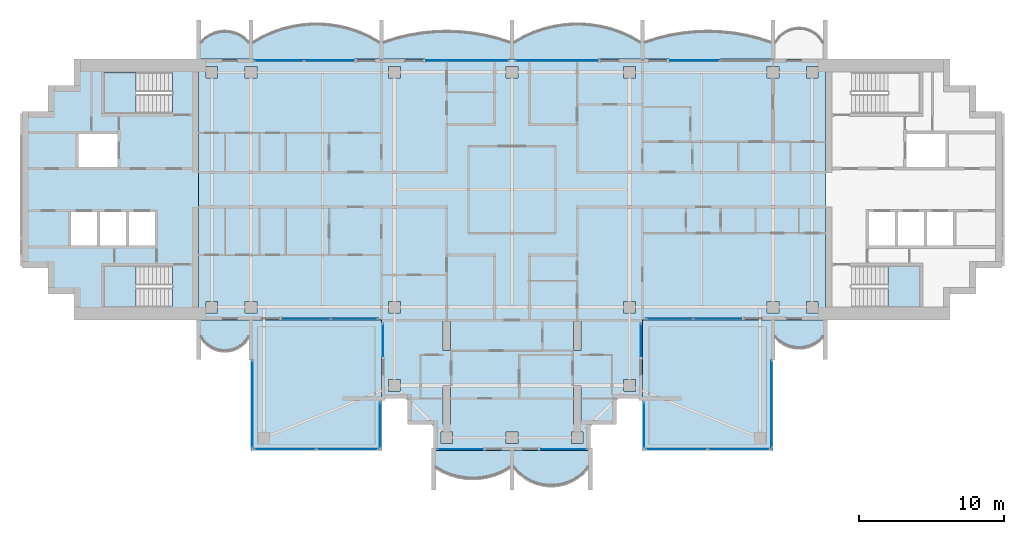
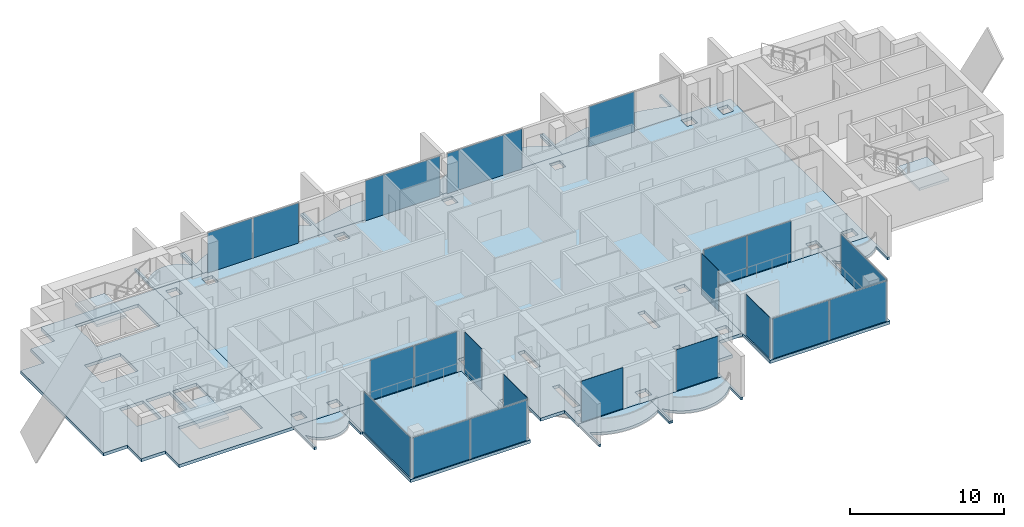
# One storey, part 5 of 17: 21 plates, 16 slabs, 19 elements without a shape of their own.
"""IFC4 building model written with IfcOpenShell, lengths in metres."""

from ifc_helpers import new_model, si_unit, direction, frame, origin, origin_2d, place, context, subcontext, project, spatial, polyline, rectangle, outline, extrude, material, layer, layer_set, type_object, element, aggregate, save


model = new_model("IFC4")

# Units and contexts
model_context = context("Model", 3, precision=1e-05, world=origin(), true_north=direction((0.0, 1.0)))
body_context = subcontext(model_context, "Body", "Model", "MODEL_VIEW")
ifc_project = project(units=[si_unit("LENGTHUNIT", "METRE"), si_unit("AREAUNIT", "SQUARE_METRE"), si_unit("VOLUMEUNIT", "CUBIC_METRE"), si_unit("PLANEANGLEUNIT", "RADIAN"), si_unit("MASSUNIT", "GRAM", prefix="KILO")], contexts=[model_context])

# Site, building, storey
site_placement = place(None, origin())
site = spatial("IfcSite", under=ifc_project, at=site_placement, CompositionType="ELEMENT")
building_placement = place(site_placement, origin())
building = spatial("IfcBuilding", under=site, at=building_placement, Name="Perihelion Cross Residences", CompositionType="ELEMENT")
storey_placement = place(building_placement, frame((0.0, 0.0, 278.0)))
storey = spatial("IfcBuildingStorey", under=building, at=storey_placement, Name="L71", CompositionType="ELEMENT", Elevation=278.0)

# Slabs
ifc_material_1 = material(Name="Concrete C40/50", Category="concrete")
ifc_layer_1 = layer(ifc_material_1, 0.199951171875)
ifc_layer_set_1 = layer_set([ifc_layer_1], Name="Balcony slab 200")
slab_type_1 = type_object("IfcSlabType", Name="Balcony slab 200", PredefinedType="FLOOR", material=ifc_layer_set_1)
slab_1_placement = place(storey_placement, frame((0.0, 0.0, -0.199951171875)))
element("IfcSlab", 1, at=slab_1_placement, inside=storey, type_object=slab_type_1, Name="Slab BK1 L71 east side north bay 2 balcony", PredefinedType="FLOOR", context=body_context, shape_type="SweptSolid", body=[
    extrude(outline(polyline([(18.0, 9.0), (9.0, 9.0), (9.0, 11.699951171875), (9.14990234375, 11.699951171875), (9.14990234375, 10.199951171875), (10.02001953125, 10.47509765625), (10.889892578125, 10.68505859375), (11.760009765625, 10.8330078125), (12.6298828125, 10.9208984375), (13.5, 10.949951171875), (14.3701171875, 10.9208984375), (15.239990234375, 10.8330078125), (16.110107421875, 10.68505859375), (16.97998046875, 10.47509765625), (17.85009765625, 10.199951171875), (17.85009765625, 11.699951171875), (18.0, 11.699951171875), (18.0, 9.0)])), origin(), (0.0, 0.0, 1.0), 0.199951171875),
])
slab_2_placement = place(storey_placement, frame((0.0, 0.0, -0.199951171875)))
element("IfcSlab", 2, at=slab_2_placement, inside=storey, type_object=slab_type_1, Name="Slab BK1 L71 north side east bay 1 balcony", PredefinedType="FLOOR", context=body_context, shape_type="SweptSolid", body=[
    extrude(outline(polyline([(9.0, 9.0), (0.0, 9.0), (0.0, 11.699951171875), (0.14990234375, 11.699951171875), (0.14990234375, 10.199951171875), (0.8193359375, 10.57666015625), (1.488525390625, 10.87646484375), (2.15771484375, 11.108154296875), (2.826904296875, 11.27734375), (3.49609375, 11.38818359375), (4.165283203125, 11.443115234375), (4.834716796875, 11.443115234375), (5.50390625, 11.38818359375), (6.173095703125, 11.27734375), (6.84228515625, 11.108154296875), (7.511474609375, 10.87646484375), (8.1806640625, 10.57666015625), (8.85009765625, 10.199951171875), (8.85009765625, 11.699951171875), (9.0, 11.699951171875), (9.0, 9.0)])), origin(), (0.0, 0.0, 1.0), 0.199951171875),
])
slab_3_placement = place(storey_placement, frame((0.0, 0.0, -0.199951171875)))
element("IfcSlab", 3, at=slab_3_placement, inside=storey, type_object=slab_type_1, Name="Slab BK1 L71 north side east bay 2 balcony", PredefinedType="FLOOR", context=body_context, shape_type="SweptSolid", body=[
    extrude(outline(polyline([(0.0, 9.0), (-9.0, 9.0), (-9.0, 11.699951171875), (-8.85009765625, 11.699951171875), (-8.85009765625, 10.199951171875), (-7.97998046875, 10.47509765625), (-7.110107421875, 10.68505859375), (-6.239990234375, 10.8330078125), (-5.3701171875, 10.9208984375), (-4.5, 10.949951171875), (-3.6298828125, 10.9208984375), (-2.760009765625, 10.8330078125), (-1.889892578125, 10.68505859375), (-1.02001953125, 10.47509765625), (-0.14990234375, 10.199951171875), (-0.14990234375, 11.699951171875), (0.0, 11.699951171875), (0.0, 9.0)])), origin(), (0.0, 0.0, 1.0), 0.199951171875),
])
slab_4_placement = place(storey_placement, frame((0.0, 0.0, -0.199951171875)))
element("IfcSlab", 4, at=slab_4_placement, inside=storey, type_object=slab_type_1, Name="Slab BK1 L71 west side north bay 1 balcony", PredefinedType="FLOOR", context=body_context, shape_type="SweptSolid", body=[
    extrude(outline(polyline([(-9.0, 9.0), (-18.0, 9.0), (-18.0, 11.699951171875), (-17.85009765625, 11.699951171875), (-17.85009765625, 10.199951171875), (-17.1806640625, 10.57666015625), (-16.511474609375, 10.87646484375), (-15.84228515625, 11.108154296875), (-15.173095703125, 11.27734375), (-14.50390625, 11.38818359375), (-13.834716796875, 11.443115234375), (-13.165283203125, 11.443115234375), (-12.49609375, 11.38818359375), (-11.826904296875, 11.27734375), (-11.15771484375, 11.108154296875), (-10.488525390625, 10.87646484375), (-9.8193359375, 10.57666015625), (-9.14990234375, 10.199951171875), (-9.14990234375, 11.699951171875), (-9.0, 11.699951171875), (-9.0, 9.0)])), origin(), (0.0, 0.0, 1.0), 0.199951171875),
])
slab_5_placement = place(storey_placement, frame((0.0, 0.0, -0.199951171875)))
element("IfcSlab", 5, at=slab_5_placement, inside=storey, type_object=slab_type_1, Name="Slab BK1 L71 west side north bay 2 balcony", PredefinedType="FLOOR", context=body_context, shape_type="SweptSolid", body=[
    extrude(outline(polyline([(-18.0, 9.0), (-21.60009765625, 9.0), (-21.60009765625, 11.699951171875), (-21.449951171875, 11.699951171875), (-21.449951171875, 10.199951171875), (-21.1201171875, 10.507568359375), (-20.7900390625, 10.71337890625), (-20.4599609375, 10.84814453125), (-20.1298828125, 10.925048828125), (-19.800048828125, 10.949951171875), (-19.469970703125, 10.925048828125), (-19.139892578125, 10.84814453125), (-18.81005859375, 10.71337890625), (-18.47998046875, 10.507568359375), (-18.14990234375, 10.199951171875), (-18.14990234375, 11.699951171875), (-18.0, 11.699951171875), (-18.0, 9.0)])), origin(), (0.0, 0.0, 1.0), 0.199951171875),
])
slab_6_placement = place(storey_placement, frame((0.0, 0.0, -0.199951171875)))
element("IfcSlab", 6, at=slab_6_placement, inside=storey, type_object=slab_type_1, Name="Slab BK1 L71 west side south bay 1 balcony", PredefinedType="FLOOR", context=body_context, shape_type="SweptSolid", body=[
    extrude(outline(polyline([(-21.60009765625, -9.0), (-18.0, -9.0), (-18.0, -11.699951171875), (-18.14990234375, -11.699951171875), (-18.14990234375, -10.199951171875), (-18.425048828125, -10.568603515625), (-18.699951171875, -10.806396484375), (-18.97509765625, -10.96875), (-19.25, -11.07568359375), (-19.52490234375, -11.136962890625), (-19.800048828125, -11.156982421875), (-20.074951171875, -11.136962890625), (-20.35009765625, -11.07568359375), (-20.625, -10.96875), (-20.89990234375, -10.806396484375), (-21.175048828125, -10.568603515625), (-21.449951171875, -10.199951171875), (-21.449951171875, -11.699951171875), (-21.60009765625, -11.699951171875), (-21.60009765625, -9.0)])), origin(), (0.0, 0.0, 1.0), 0.199951171875),
])
slab_7_placement = place(storey_placement, frame((0.0, 0.0, -0.199951171875)))
element("IfcSlab", 7, at=slab_7_placement, inside=storey, type_object=slab_type_1, Name="Slab BK1 L71 south tip south bay 1 balcony", PredefinedType="FLOOR", context=body_context, shape_type="SweptSolid", body=[
    extrude(outline(polyline([(-5.39990234375, -18.0), (0.0, -18.0), (0.0, -20.699951171875), (-0.14990234375, -20.699951171875), (-0.14990234375, -19.199951171875), (-0.659912109375, -19.4853515625), (-1.169921875, -19.694580078125), (-1.679931640625, -19.838134765625), (-2.18994140625, -19.92236328125), (-2.699951171875, -19.949951171875), (-3.2099609375, -19.92236328125), (-3.719970703125, -19.838134765625), (-4.22998046875, -19.694580078125), (-4.739990234375, -19.4853515625), (-5.25, -19.199951171875), (-5.25, -20.699951171875), (-5.39990234375, -20.699951171875), (-5.39990234375, -18.0)])), origin(), (0.0, 0.0, 1.0), 0.199951171875),
])
slab_8_placement = place(storey_placement, frame((0.0, 0.0, -0.199951171875)))
element("IfcSlab", 8, at=slab_8_placement, inside=storey, type_object=slab_type_1, Name="Slab BK1 L71 south tip south bay 2 balcony", PredefinedType="FLOOR", context=body_context, shape_type="SweptSolid", body=[
    extrude(outline(polyline([(0.0, -18.0), (5.39990234375, -18.0), (5.39990234375, -20.699951171875), (5.25, -20.699951171875), (5.25, -19.199951171875), (4.857666015625, -19.622314453125), (4.46533203125, -19.924072265625), (4.072998046875, -20.143310546875), (3.6806640625, -20.29736328125), (3.28857421875, -20.39599609375), (2.896240234375, -20.444091796875), (2.50390625, -20.444091796875), (2.111572265625, -20.39599609375), (1.71923828125, -20.29736328125), (1.326904296875, -20.143310546875), (0.9345703125, -19.924072265625), (0.542236328125, -19.622314453125), (0.14990234375, -19.199951171875), (0.14990234375, -20.699951171875), (0.0, -20.699951171875), (0.0, -18.0)])), origin(), (0.0, 0.0, 1.0), 0.199951171875),
])
slab_9_placement = place(storey_placement, frame((0.0, 0.0, -0.199951171875)))
element("IfcSlab", 9, at=slab_9_placement, inside=storey, type_object=slab_type_1, Name="Slab BK1 L71 east side south bay 2 balcony", PredefinedType="FLOOR", context=body_context, shape_type="SweptSolid", body=[
    extrude(outline(polyline([(18.0, -9.0), (21.60009765625, -9.0), (21.60009765625, -11.699951171875), (21.449951171875, -11.699951171875), (21.449951171875, -10.199951171875), (21.1201171875, -10.507568359375), (20.7900390625, -10.71337890625), (20.4599609375, -10.84814453125), (20.1298828125, -10.925048828125), (19.800048828125, -10.949951171875), (19.469970703125, -10.925048828125), (19.139892578125, -10.84814453125), (18.81005859375, -10.71337890625), (18.47998046875, -10.507568359375), (18.14990234375, -10.199951171875), (18.14990234375, -11.699951171875), (18.0, -11.699951171875), (18.0, -9.0)])), origin(), (0.0, 0.0, 1.0), 0.199951171875),
])

# Curtain wall, plate
ifc_material_2 = material(Name="Bronze anodised aluminium, tinted glazing", Category="aluminium")
curtain_wall_type_1 = type_object("IfcCurtainWallType", Name="CW1", PredefinedType="NOTDEFINED", material=ifc_material_2)
curtain_wall_1_placement = place(storey_placement, origin())
curtain_wall_1 = element("IfcCurtainWall", 10, at=curtain_wall_1_placement, inside=storey, type_object=curtain_wall_type_1, Name="Curtain wall CW1 L71 east side north bay 2", PredefinedType="NOTDEFINED")
ifc_material_3 = material(Name="Tinted laminated glass", Category="glass")
ifc_layer_2 = layer(ifc_material_3, 0.028076171875)
ifc_layer_set_2 = layer_set([ifc_layer_2], Name="CW1 panel")
plate_type_1 = type_object("IfcPlateType", Name="CW1 panel", PredefinedType="CURTAIN_PANEL", material=ifc_layer_set_2)
plate_1_placement = place(storey_placement, frame((12.610107421875, 8.89990234375, 0.0), z_axis=(0.0, 0.0, 1.0), x_axis=(-1.0, 0.0, 0.0)))
plate_1 = element("IfcPlate", 11, at=plate_1_placement, type_object=plate_type_1, Name="CW1 panel 2", PredefinedType="CURTAIN_PANEL", context=body_context, shape_type="SweptSolid", body=[
    extrude(rectangle(XDim=3.419921875, YDim=0.028076171875, at=origin_2d()), origin(), (0.0, 0.0, 1.0), 3.18994140625),
])
aggregate(curtain_wall_1, [plate_1])

curtain_wall_2_placement = place(storey_placement, origin())
curtain_wall_2 = element("IfcCurtainWall", 12, at=curtain_wall_2_placement, inside=storey, type_object=curtain_wall_type_1, Name="Curtain wall CW1 L71 north side east bay 1", PredefinedType="NOTDEFINED")
plate_2_placement = place(storey_placement, frame((3.080078125, 8.89990234375, 0.0), z_axis=(0.0, 0.0, 1.0), x_axis=(-1.0, 0.0, 0.0)))
plate_2 = element("IfcPlate", 13, at=plate_2_placement, type_object=plate_type_1, Name="CW1 panel 1", PredefinedType="CURTAIN_PANEL", context=body_context, shape_type="SweptSolid", body=[
    extrude(rectangle(XDim=5.639892578125, YDim=0.028076171875, at=origin_2d()), origin(), (0.0, 0.0, 1.0), 3.18994140625),
])
aggregate(curtain_wall_2, [plate_2])

curtain_wall_3_placement = place(storey_placement, origin())
curtain_wall_3 = element("IfcCurtainWall", 14, at=curtain_wall_3_placement, inside=storey, type_object=curtain_wall_type_1, Name="Curtain wall CW1 L71 north side east bay 2", PredefinedType="NOTDEFINED")
plate_3_placement = place(storey_placement, frame((-3.080078125, 8.89990234375, 0.0), z_axis=(0.0, 0.0, 1.0), x_axis=(-1.0, 0.0, 0.0)))
plate_3 = element("IfcPlate", 15, at=plate_3_placement, type_object=plate_type_1, Name="CW1 panel 1", PredefinedType="CURTAIN_PANEL", context=body_context, shape_type="SweptSolid", body=[
    extrude(rectangle(XDim=5.639892578125, YDim=0.028076171875, at=origin_2d()), origin(), (0.0, 0.0, 1.0), 3.18994140625),
])
aggregate(curtain_wall_3, [plate_3])

# Curtain wall, plates
curtain_wall_4_placement = place(storey_placement, origin())
curtain_wall_4 = element("IfcCurtainWall", 16, at=curtain_wall_4_placement, inside=storey, type_object=curtain_wall_type_1, Name="Curtain wall CW1 L71 west side north bay 1", PredefinedType="NOTDEFINED")
plate_4_placement = place(storey_placement, frame((-12.610107421875, 8.89990234375, 0.0), z_axis=(0.0, 0.0, 1.0), x_axis=(-1.0, 0.0, 0.0)))
plate_4 = element("IfcPlate", 17, at=plate_4_placement, type_object=plate_type_1, Name="CW1 panel 1", PredefinedType="CURTAIN_PANEL", context=body_context, shape_type="SweptSolid", body=[
    extrude(rectangle(XDim=3.419921875, YDim=0.028076171875, at=origin_2d()), origin(), (0.0, 0.0, 1.0), 3.18994140625),
])
plate_5_placement = place(storey_placement, frame((-16.06005859375, 8.89990234375, 0.0), z_axis=(0.0, 0.0, 1.0), x_axis=(-1.0, 0.0, 0.0)))
plate_5 = element("IfcPlate", 18, at=plate_5_placement, type_object=plate_type_1, Name="CW1 panel 2", PredefinedType="CURTAIN_PANEL", context=body_context, shape_type="SweptSolid", body=[
    extrude(rectangle(XDim=3.360107421875, YDim=0.028076171875, at=origin_2d()), origin(), (0.0, 0.0, 1.0), 3.18994140625),
])
aggregate(curtain_wall_4, [plate_4, plate_5])

curtain_wall_5_placement = place(storey_placement, origin())
curtain_wall_5 = element("IfcCurtainWall", 19, at=curtain_wall_5_placement, inside=storey, type_object=curtain_wall_type_1, Name="Curtain wall CW1 L71 west side south bay 2", PredefinedType="NOTDEFINED")
plate_6_placement = place(storey_placement, frame((-14.1650390625, -8.89990234375, 0.0), z_axis=(0.0, 0.0, 1.0), x_axis=(1.0, 0.0, 0.0)))
plate_6 = element("IfcPlate", 20, at=plate_6_placement, type_object=plate_type_1, Name="CW1 panel 1", PredefinedType="CURTAIN_PANEL", context=body_context, shape_type="SweptSolid", body=[
    extrude(rectangle(XDim=3.27001953125, YDim=0.028076171875, at=origin_2d()), origin(), (0.0, 0.0, 1.0), 3.18994140625),
])
plate_7_placement = place(storey_placement, frame((-10.864990234375, -8.89990234375, 0.0), z_axis=(0.0, 0.0, 1.0), x_axis=(1.0, 0.0, 0.0)))
plate_7 = element("IfcPlate", 21, at=plate_7_placement, type_object=plate_type_1, Name="CW1 panel 2", PredefinedType="CURTAIN_PANEL", context=body_context, shape_type="SweptSolid", body=[
    extrude(rectangle(XDim=3.2099609375, YDim=0.028076171875, at=origin_2d()), origin(), (0.0, 0.0, 1.0), 3.18994140625),
])
aggregate(curtain_wall_5, [plate_6, plate_7])

# Curtain wall, plate
curtain_wall_6_placement = place(storey_placement, origin())
curtain_wall_6 = element("IfcCurtainWall", 22, at=curtain_wall_6_placement, inside=storey, type_object=curtain_wall_type_1, Name="Curtain wall CW1 L71 south side west bay 1", PredefinedType="NOTDEFINED")
plate_8_placement = place(storey_placement, frame((-8.89990234375, -10.3798828125, 0.0), z_axis=(0.0, 0.0, 1.0), x_axis=(0.0, -1.0, 0.0)))
plate_8 = element("IfcPlate", 23, at=plate_8_placement, type_object=plate_type_1, Name="CW1 panel 1", PredefinedType="CURTAIN_PANEL", context=body_context, shape_type="SweptSolid", body=[
    extrude(rectangle(XDim=2.239990234375, YDim=0.028076171875, at=origin_2d()), origin(), (0.0, 0.0, 1.0), 3.25),
])
aggregate(curtain_wall_6, [plate_8])

curtain_wall_7_placement = place(storey_placement, origin())
curtain_wall_7 = element("IfcCurtainWall", 24, at=curtain_wall_7_placement, inside=storey, type_object=curtain_wall_type_1, Name="Curtain wall CW1 L71 south tip south bay 1", PredefinedType="NOTDEFINED")
plate_9_placement = place(storey_placement, frame((-3.570068359375, -17.89990234375, 0.0), z_axis=(0.0, 0.0, 1.0), x_axis=(1.0, 0.0, 0.0)))
plate_9 = element("IfcPlate", 25, at=plate_9_placement, type_object=plate_type_1, Name="CW1 panel 1", PredefinedType="CURTAIN_PANEL", context=body_context, shape_type="SweptSolid", body=[
    extrude(rectangle(XDim=3.139892578125, YDim=0.028076171875, at=origin_2d()), origin(), (0.0, 0.0, 1.0), 3.25),
])
aggregate(curtain_wall_7, [plate_9])

curtain_wall_8_placement = place(storey_placement, origin())
curtain_wall_8 = element("IfcCurtainWall", 26, at=curtain_wall_8_placement, inside=storey, type_object=curtain_wall_type_1, Name="Curtain wall CW1 L71 south tip south bay 2", PredefinedType="NOTDEFINED")
plate_10_placement = place(storey_placement, frame((3.570068359375, -17.89990234375, 0.0), z_axis=(0.0, 0.0, 1.0), x_axis=(1.0, 0.0, 0.0)))
plate_10 = element("IfcPlate", 27, at=plate_10_placement, type_object=plate_type_1, Name="CW1 panel 1", PredefinedType="CURTAIN_PANEL", context=body_context, shape_type="SweptSolid", body=[
    extrude(rectangle(XDim=3.139892578125, YDim=0.028076171875, at=origin_2d()), origin(), (0.0, 0.0, 1.0), 3.25),
])
aggregate(curtain_wall_8, [plate_10])

curtain_wall_9_placement = place(storey_placement, origin())
curtain_wall_9 = element("IfcCurtainWall", 28, at=curtain_wall_9_placement, inside=storey, type_object=curtain_wall_type_1, Name="Curtain wall CW1 L71 south side east bay 1", PredefinedType="NOTDEFINED")
plate_11_placement = place(storey_placement, frame((8.89990234375, -10.3798828125, 0.0), z_axis=(0.0, 0.0, 1.0), x_axis=(0.0, 1.0, 0.0)))
plate_11 = element("IfcPlate", 29, at=plate_11_placement, type_object=plate_type_1, Name="CW1 panel 1", PredefinedType="CURTAIN_PANEL", context=body_context, shape_type="SweptSolid", body=[
    extrude(rectangle(XDim=2.239990234375, YDim=0.028076171875, at=origin_2d()), origin(), (0.0, 0.0, 1.0), 3.25),
])
aggregate(curtain_wall_9, [plate_11])

# Curtain wall, plates
curtain_wall_10_placement = place(storey_placement, origin())
curtain_wall_10 = element("IfcCurtainWall", 30, at=curtain_wall_10_placement, inside=storey, type_object=curtain_wall_type_1, Name="Curtain wall CW1 L71 east side south bay 1", PredefinedType="NOTDEFINED")
plate_12_placement = place(storey_placement, frame((10.864990234375, -8.89990234375, 0.0), z_axis=(0.0, 0.0, 1.0), x_axis=(1.0, 0.0, 0.0)))
plate_12 = element("IfcPlate", 31, at=plate_12_placement, type_object=plate_type_1, Name="CW1 panel 1", PredefinedType="CURTAIN_PANEL", context=body_context, shape_type="SweptSolid", body=[
    extrude(rectangle(XDim=3.2099609375, YDim=0.028076171875, at=origin_2d()), origin(), (0.0, 0.0, 1.0), 3.18994140625),
])
plate_13_placement = place(storey_placement, frame((14.1650390625, -8.89990234375, 0.0), z_axis=(0.0, 0.0, 1.0), x_axis=(1.0, 0.0, 0.0)))
plate_13 = element("IfcPlate", 32, at=plate_13_placement, type_object=plate_type_1, Name="CW1 panel 2", PredefinedType="CURTAIN_PANEL", context=body_context, shape_type="SweptSolid", body=[
    extrude(rectangle(XDim=3.27001953125, YDim=0.028076171875, at=origin_2d()), origin(), (0.0, 0.0, 1.0), 3.18994140625),
])
aggregate(curtain_wall_10, [plate_12, plate_13])

# Curtain wall, plate
ifc_material_4 = material(Name="Bronze anodised aluminium, tinted glazing", Category="aluminium")
curtain_wall_type_2 = type_object("IfcCurtainWallType", Name="CW4", PredefinedType="NOTDEFINED", material=ifc_material_4)
curtain_wall_11_placement = place(storey_placement, origin())
curtain_wall_11 = element("IfcCurtainWall", 33, at=curtain_wall_11_placement, inside=storey, type_object=curtain_wall_type_2, Name="Curtain wall CW4 L71 pocket south-east 1 1", PredefinedType="NOTDEFINED")
ifc_material_5 = material(Name="Tinted laminated glass", Category="glass")
ifc_layer_3 = layer(ifc_material_5, 0.030029296875)
ifc_layer_set_3 = layer_set([ifc_layer_3], Name="CW4 panel")
plate_type_2 = type_object("IfcPlateType", Name="CW4 panel", PredefinedType="CURTAIN_PANEL", material=ifc_layer_set_3)
plate_14_placement = place(storey_placement, frame((17.89990234375, -14.784912109375, 0.0), z_axis=(0.0, 0.0, 1.0), x_axis=(0.0, -1.0, 0.0)))
plate_14 = element("IfcPlate", 34, at=plate_14_placement, type_object=plate_type_2, Name="CW4 panel 1", PredefinedType="CURTAIN_PANEL", context=body_context, shape_type="SweptSolid", body=[
    extrude(rectangle(XDim=5.969970703125, YDim=0.030029296875, at=origin_2d()), origin(), (0.0, 0.0, 1.0), 3.18994140625),
])
aggregate(curtain_wall_11, [plate_14])

# Curtain wall, plates
curtain_wall_12_placement = place(storey_placement, origin())
curtain_wall_12 = element("IfcCurtainWall", 35, at=curtain_wall_12_placement, inside=storey, type_object=curtain_wall_type_2, Name="Curtain wall CW4 L71 pocket south-east 1 2", PredefinedType="NOTDEFINED")
plate_15_placement = place(storey_placement, frame((15.64990234375, -17.89990234375, 0.0), z_axis=(0.0, 0.0, 1.0), x_axis=(-1.0, 0.0, 0.0)))
plate_15 = element("IfcPlate", 36, at=plate_15_placement, type_object=plate_type_2, Name="CW4 panel 1", PredefinedType="CURTAIN_PANEL", context=body_context, shape_type="SweptSolid", body=[
    extrude(rectangle(XDim=4.239990234375, YDim=0.030029296875, at=origin_2d()), origin(), (0.0, 0.0, 1.0), 3.18994140625),
])
plate_16_placement = place(storey_placement, frame((11.35009765625, -17.89990234375, 0.0), z_axis=(0.0, 0.0, 1.0), x_axis=(-1.0, 0.0, 0.0)))
plate_16 = element("IfcPlate", 37, at=plate_16_placement, type_object=plate_type_2, Name="CW4 panel 2", PredefinedType="CURTAIN_PANEL", context=body_context, shape_type="SweptSolid", body=[
    extrude(rectangle(XDim=4.239990234375, YDim=0.030029296875, at=origin_2d()), origin(), (0.0, 0.0, 1.0), 3.18994140625),
])
aggregate(curtain_wall_12, [plate_15, plate_16])

# Curtain wall, plate
curtain_wall_13_placement = place(storey_placement, origin())
curtain_wall_13 = element("IfcCurtainWall", 38, at=curtain_wall_13_placement, inside=storey, type_object=curtain_wall_type_2, Name="Curtain wall CW4 L71 pocket south-east 1 3", PredefinedType="NOTDEFINED")
plate_17_placement = place(storey_placement, frame((9.10009765625, -16.2294921875, 0.0), z_axis=(0.0, 0.0, 1.0), x_axis=(0.0, 1.0, 0.0)))
plate_17 = element("IfcPlate", 39, at=plate_17_placement, type_object=plate_type_2, Name="CW4 panel 1", PredefinedType="CURTAIN_PANEL", context=body_context, shape_type="SweptSolid", body=[
    extrude(rectangle(XDim=3.0810546875, YDim=0.030029296875, at=origin_2d()), origin(), (0.0, 0.0, 1.0), 3.25),
])
aggregate(curtain_wall_13, [plate_17])

curtain_wall_14_placement = place(storey_placement, origin())
curtain_wall_14 = element("IfcCurtainWall", 40, at=curtain_wall_14_placement, inside=storey, type_object=curtain_wall_type_2, Name="Curtain wall CW4 L71 pocket south-west 1 1", PredefinedType="NOTDEFINED")
plate_18_placement = place(storey_placement, frame((-9.10009765625, -16.2294921875, 0.0), z_axis=(0.0, 0.0, 1.0), x_axis=(0.0, -1.0, 0.0)))
plate_18 = element("IfcPlate", 41, at=plate_18_placement, type_object=plate_type_2, Name="CW4 panel 1", PredefinedType="CURTAIN_PANEL", context=body_context, shape_type="SweptSolid", body=[
    extrude(rectangle(XDim=3.0810546875, YDim=0.030029296875, at=origin_2d()), origin(), (0.0, 0.0, 1.0), 3.25),
])
aggregate(curtain_wall_14, [plate_18])

# Curtain wall, plates
curtain_wall_15_placement = place(storey_placement, origin())
curtain_wall_15 = element("IfcCurtainWall", 42, at=curtain_wall_15_placement, inside=storey, type_object=curtain_wall_type_2, Name="Curtain wall CW4 L71 pocket south-west 1 2", PredefinedType="NOTDEFINED")
plate_19_placement = place(storey_placement, frame((-11.35009765625, -17.89990234375, 0.0), z_axis=(0.0, 0.0, 1.0), x_axis=(-1.0, 0.0, 0.0)))
plate_19 = element("IfcPlate", 43, at=plate_19_placement, type_object=plate_type_2, Name="CW4 panel 1", PredefinedType="CURTAIN_PANEL", context=body_context, shape_type="SweptSolid", body=[
    extrude(rectangle(XDim=4.239990234375, YDim=0.030029296875, at=origin_2d()), origin(), (0.0, 0.0, 1.0), 3.18994140625),
])
plate_20_placement = place(storey_placement, frame((-15.64990234375, -17.89990234375, 0.0), z_axis=(0.0, 0.0, 1.0), x_axis=(-1.0, 0.0, 0.0)))
plate_20 = element("IfcPlate", 44, at=plate_20_placement, type_object=plate_type_2, Name="CW4 panel 2", PredefinedType="CURTAIN_PANEL", context=body_context, shape_type="SweptSolid", body=[
    extrude(rectangle(XDim=4.239990234375, YDim=0.030029296875, at=origin_2d()), origin(), (0.0, 0.0, 1.0), 3.18994140625),
])
aggregate(curtain_wall_15, [plate_19, plate_20])

# Curtain wall, plate
curtain_wall_16_placement = place(storey_placement, origin())
curtain_wall_16 = element("IfcCurtainWall", 45, at=curtain_wall_16_placement, inside=storey, type_object=curtain_wall_type_2, Name="Curtain wall CW4 L71 pocket south-west 1 3", PredefinedType="NOTDEFINED")
plate_21_placement = place(storey_placement, frame((-17.89990234375, -14.784912109375, 0.0), z_axis=(0.0, 0.0, 1.0), x_axis=(0.0, 1.0, 0.0)))
plate_21 = element("IfcPlate", 46, at=plate_21_placement, type_object=plate_type_2, Name="CW4 panel 1", PredefinedType="CURTAIN_PANEL", context=body_context, shape_type="SweptSolid", body=[
    extrude(rectangle(XDim=5.969970703125, YDim=0.030029296875, at=origin_2d()), origin(), (0.0, 0.0, 1.0), 3.18994140625),
])
aggregate(curtain_wall_16, [plate_21])

# Slab
ifc_material_6 = material(Name="Concrete C40/50", Category="concrete")
ifc_layer_4 = layer(ifc_material_6, 0.25)
ifc_layer_set_4 = layer_set([ifc_layer_4], Name="Core floor slab 250")
slab_type_2 = type_object("IfcSlabType", Name="Core floor slab 250", PredefinedType="FLOOR", material=ifc_layer_set_4)
slab_10_placement = place(storey_placement, frame((0.0, 0.0, -0.25)))
element("IfcSlab", 47, at=slab_10_placement, inside=storey, type_object=slab_type_2, Name="West core floor slab", PredefinedType="FLOOR", context=body_context, shape_type="SweptSolid", body=[
    extrude(outline(polyline([(-30.199951171875, 7.199951171875), (-32.0, 7.199951171875), (-32.0, 5.39990234375), (-33.800048828125, 5.39990234375), (-33.800048828125, -5.39990234375), (-32.0, -5.39990234375), (-32.0, -7.199951171875), (-30.199951171875, -7.199951171875), (-30.199951171875, -9.0), (-21.60009765625, -9.0), (-21.60009765625, 9.0), (-30.199951171875, 9.0), (-30.199951171875, 7.199951171875)]), holes=[polyline([(-28.14990234375, -8.10009765625), (-28.14990234375, -5.25), (-23.405029296875, -5.25), (-23.405029296875, -8.10009765625), (-28.14990234375, -8.10009765625)]), polyline([(-24.60009765625, -1.550048828125), (-24.60009765625, -3.85009765625), (-26.39990234375, -3.85009765625), (-26.39990234375, -1.550048828125), (-24.60009765625, -1.550048828125)]), polyline([(-26.60009765625, -1.550048828125), (-26.60009765625, -3.85009765625), (-28.39990234375, -3.85009765625), (-28.39990234375, -1.550048828125), (-26.60009765625, -1.550048828125)]), polyline([(-28.60009765625, -3.85009765625), (-30.39990234375, -3.85009765625), (-30.39990234375, -1.550048828125), (-28.60009765625, -1.550048828125), (-28.60009765625, -3.85009765625)]), polyline([(-27.199951171875, 3.85009765625), (-27.199951171875, 1.550048828125), (-29.89990234375, 1.550048828125), (-29.89990234375, 3.85009765625), (-27.199951171875, 3.85009765625)]), polyline([(-23.405029296875, 5.25), (-28.14990234375, 5.25), (-28.14990234375, 8.10009765625), (-23.405029296875, 8.10009765625), (-23.405029296875, 5.25)])]), origin(), (0.0, 0.0, 1.0), 0.25),
])

# Stair, slab
ifc_material_7 = material(Name="Concrete C40/50", Category="concrete")
stair_type = type_object("IfcStairType", Name="Exit stair, half-turn", PredefinedType="HALF_TURN_STAIR", material=ifc_material_7)
stair_1_placement = place(storey_placement, origin())
stair_1 = element("IfcStair", 48, at=stair_1_placement, inside=storey, type_object=stair_type, Name="L71 East core exit stair 2", PredefinedType="HALF_TURN_STAIR")
ifc_material_8 = material(Name="Concrete C40/50", Category="concrete")
ifc_layer_5 = layer(ifc_material_8, 0.199951171875)
ifc_layer_set_5 = layer_set([ifc_layer_5], Name="Exit stair landing 200")
slab_type_3 = type_object("IfcSlabType", Name="Exit stair landing 200", PredefinedType="LANDING", material=ifc_layer_set_5)
slab_11_placement = place(storey_placement, frame((0.0, 0.0, 1.550048828125)))
slab_11 = element("IfcSlab", 49, at=slab_11_placement, type_object=slab_type_3, Name="ST-E2 landing 1", PredefinedType="LANDING", context=body_context, shape_type="SweptSolid", body=[
    extrude(outline(polyline([(25.919921875, -8.10009765625), (28.14990234375, -8.10009765625), (28.14990234375, -5.25), (25.919921875, -5.25), (25.919921875, -8.10009765625)])), origin(), (0.0, 0.0, 1.0), 0.199951171875),
])
aggregate(stair_1, [slab_11])

stair_2_placement = place(storey_placement, origin())
stair_2 = element("IfcStair", 50, at=stair_2_placement, inside=storey, type_object=stair_type, Name="L71 West core exit stair 1", PredefinedType="HALF_TURN_STAIR")
slab_12_placement = place(storey_placement, frame((0.0, 0.0, 1.550048828125)))
slab_12 = element("IfcSlab", 51, at=slab_12_placement, type_object=slab_type_3, Name="ST-W1 landing 1", PredefinedType="LANDING", context=body_context, shape_type="SweptSolid", body=[
    extrude(outline(polyline([(-25.919921875, 8.10009765625), (-28.14990234375, 8.10009765625), (-28.14990234375, 5.25), (-25.919921875, 5.25), (-25.919921875, 8.10009765625)])), origin(), (0.0, 0.0, 1.0), 0.199951171875),
])
aggregate(stair_2, [slab_12])

stair_3_placement = place(storey_placement, origin())
stair_3 = element("IfcStair", 52, at=stair_3_placement, inside=storey, type_object=stair_type, Name="L71 West core exit stair 2", PredefinedType="HALF_TURN_STAIR")
slab_13_placement = place(storey_placement, frame((0.0, 0.0, 1.550048828125)))
slab_13 = element("IfcSlab", 53, at=slab_13_placement, type_object=slab_type_3, Name="ST-W2 landing 1", PredefinedType="LANDING", context=body_context, shape_type="SweptSolid", body=[
    extrude(outline(polyline([(-25.919921875, -5.25), (-28.14990234375, -5.25), (-28.14990234375, -8.10009765625), (-25.919921875, -8.10009765625), (-25.919921875, -5.25)])), origin(), (0.0, 0.0, 1.0), 0.199951171875),
])
aggregate(stair_3, [slab_13])

# Slabs
ifc_material_9 = material(Name="Concrete C50/60", Category="concrete")
ifc_layer_6 = layer(ifc_material_9, 0.25)
ifc_layer_set_6 = layer_set([ifc_layer_6], Name="Residential floor post-tensioned slab concrete C50/60")
slab_type_4 = type_object("IfcSlabType", Name="Residential floor post-tensioned slab concrete C50/60", PredefinedType="FLOOR", material=ifc_layer_set_6)
slab_14_placement = place(storey_placement, frame((0.0, 0.0, -0.25)))
element("IfcSlab", 54, at=slab_14_placement, inside=storey, type_object=slab_type_4, Name="Slab SL8 L71 1 no. 1", PredefinedType="FLOOR", context=body_context, shape_type="SweptSolid", body=[
    extrude(outline(polyline([(-9.0, 9.0), (9.0, 9.0), (21.60009765625, 9.0), (21.60009765625, -9.0), (9.0, -9.0), (9.0, -14.39990234375), (7.199951171875, -14.39990234375), (7.199951171875, -16.199951171875), (5.39990234375, -16.199951171875), (5.39990234375, -18.0), (-5.39990234375, -18.0), (-5.39990234375, -16.199951171875), (-7.199951171875, -16.199951171875), (-7.199951171875, -14.39990234375), (-9.0, -14.39990234375), (-9.0, -9.0), (-21.60009765625, -9.0), (-21.60009765625, 9.0), (-9.0, 9.0)]), holes=[polyline([(-4.10009765625, -16.699951171875), (-4.89990234375, -16.699951171875), (-4.89990234375, -17.5), (-4.10009765625, -17.5), (-4.10009765625, -16.699951171875)]), polyline([(0.39990234375, -17.5), (0.39990234375, -16.699951171875), (-0.39990234375, -16.699951171875), (-0.39990234375, -17.5), (0.39990234375, -17.5)]), polyline([(-4.25, -16.199951171875), (-4.25, -13.5), (-4.75, -13.5), (-4.75, -16.199951171875), (-4.25, -16.199951171875)]), polyline([(-7.699951171875, -13.10009765625), (-8.5, -13.10009765625), (-8.5, -13.89990234375), (-7.699951171875, -13.89990234375), (-7.699951171875, -13.10009765625)]), polyline([(-4.25, -11.10009765625), (-4.25, -9.0), (-4.75, -9.0), (-4.75, -11.10009765625), (-4.25, -11.10009765625)]), polyline([(-20.300048828125, -8.5), (-20.300048828125, -7.699951171875), (-21.10009765625, -7.699951171875), (-21.10009765625, -8.5), (-20.300048828125, -8.5)]), polyline([(-17.60009765625, -7.699951171875), (-18.39990234375, -7.699951171875), (-18.39990234375, -8.5), (-17.60009765625, -8.5), (-17.60009765625, -7.699951171875)]), polyline([(-7.699951171875, -8.5), (-7.699951171875, -7.699951171875), (-8.5, -7.699951171875), (-8.5, -8.5), (-7.699951171875, -8.5)]), polyline([(-20.300048828125, 8.5), (-21.10009765625, 8.5), (-21.10009765625, 7.699951171875), (-20.300048828125, 7.699951171875), (-20.300048828125, 8.5)]), polyline([(-17.60009765625, 7.699951171875), (-17.60009765625, 8.5), (-18.39990234375, 8.5), (-18.39990234375, 7.699951171875), (-17.60009765625, 7.699951171875)]), polyline([(-7.699951171875, 7.699951171875), (-7.699951171875, 8.5), (-8.5, 8.5), (-8.5, 7.699951171875), (-7.699951171875, 7.699951171875)]), polyline([(4.89990234375, -16.699951171875), (4.10009765625, -16.699951171875), (4.10009765625, -17.5), (4.89990234375, -17.5), (4.89990234375, -16.699951171875)]), polyline([(4.75, -16.199951171875), (4.75, -13.5), (4.25, -13.5), (4.25, -16.199951171875), (4.75, -16.199951171875)]), polyline([(8.5, -13.89990234375), (8.5, -13.10009765625), (7.699951171875, -13.10009765625), (7.699951171875, -13.89990234375), (8.5, -13.89990234375)]), polyline([(4.75, -9.0), (4.25, -9.0), (4.25, -11.10009765625), (4.75, -11.10009765625), (4.75, -9.0)]), polyline([(8.5, -8.5), (8.5, -7.699951171875), (7.699951171875, -7.699951171875), (7.699951171875, -8.5), (8.5, -8.5)]), polyline([(18.39990234375, -8.5), (18.39990234375, -7.699951171875), (17.60009765625, -7.699951171875), (17.60009765625, -8.5), (18.39990234375, -8.5)]), polyline([(21.10009765625, -7.699951171875), (20.300048828125, -7.699951171875), (20.300048828125, -8.5), (21.10009765625, -8.5), (21.10009765625, -7.699951171875)]), polyline([(0.39990234375, 7.699951171875), (0.39990234375, 8.5), (-0.39990234375, 8.5), (-0.39990234375, 7.699951171875), (0.39990234375, 7.699951171875)]), polyline([(8.5, 8.5), (7.699951171875, 8.5), (7.699951171875, 7.699951171875), (8.5, 7.699951171875), (8.5, 8.5)]), polyline([(18.39990234375, 7.699951171875), (18.39990234375, 8.5), (17.60009765625, 8.5), (17.60009765625, 7.699951171875), (18.39990234375, 7.699951171875)]), polyline([(21.10009765625, 7.699951171875), (21.10009765625, 8.5), (20.300048828125, 8.5), (20.300048828125, 7.699951171875), (21.10009765625, 7.699951171875)])]), origin(), (0.0, 0.0, 1.0), 0.25),
])
ifc_material_10 = material(Name="Concrete C40/50", Category="concrete")
ifc_layer_7 = layer(ifc_material_10, 0.25)
ifc_layer_set_7 = layer_set([ifc_layer_7], Name="Winter garden slab")
slab_type_5 = type_object("IfcSlabType", Name="Winter garden slab", PredefinedType="FLOOR", material=ifc_layer_set_7)
slab_15_placement = place(storey_placement, frame((0.0, 0.0, -0.25)))
element("IfcSlab", 55, at=slab_15_placement, inside=storey, type_object=slab_type_5, Name="Slab BK3 L71 pocket south-west", PredefinedType="FLOOR", context=body_context, shape_type="SweptSolid", body=[
    extrude(outline(polyline([(-9.0, -18.0), (-9.0, -9.0), (-18.0, -9.0), (-18.0, -18.0), (-9.0, -18.0)])), origin(), (0.0, 0.0, 1.0), 0.25),
])
slab_16_placement = place(storey_placement, frame((0.0, 0.0, -0.25)))
element("IfcSlab", 56, at=slab_16_placement, inside=storey, type_object=slab_type_5, Name="Slab BK3 L71 pocket south-east", PredefinedType="FLOOR", context=body_context, shape_type="SweptSolid", body=[
    extrude(outline(polyline([(18.0, -18.0), (18.0, -9.0), (9.0, -9.0), (9.0, -18.0), (18.0, -18.0)])), origin(), (0.0, 0.0, 1.0), 0.25),
])

save(model, "model.ifc")
